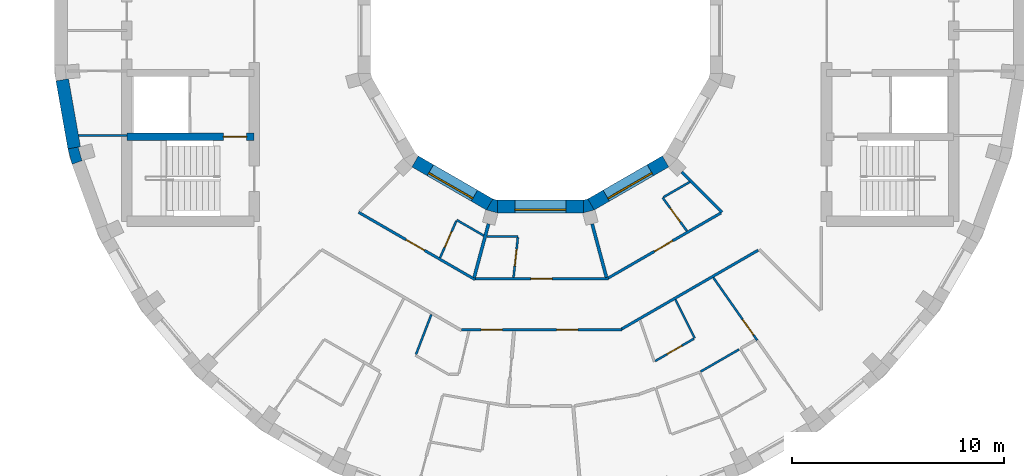
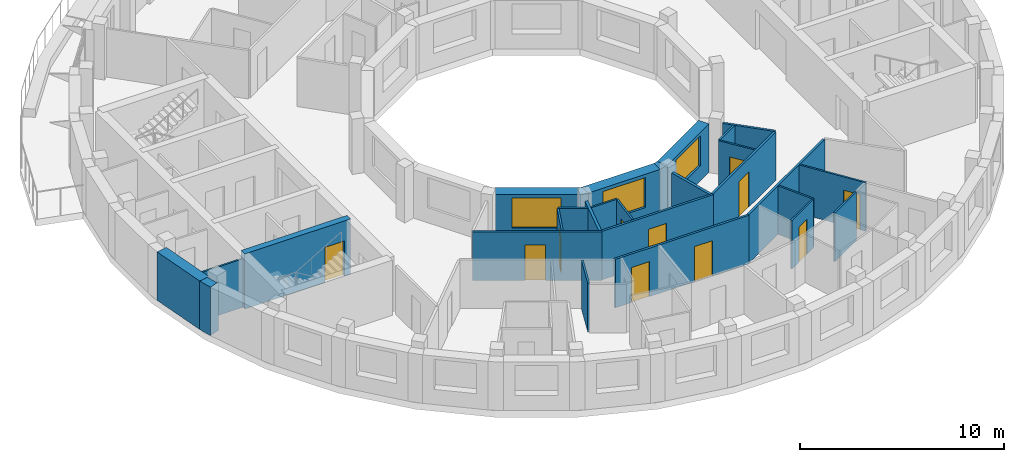
# One storey, part 5 of 12: 28 walls, 11 doors, 3 windows, 14 openings.
"""IFC4 building model written with IfcOpenShell, lengths in metres."""

from ifc_helpers import new_model, si_unit, direction, frame, frame_2d, origin, place, context, subcontext, project, spatial, polyline, rectangle, outline, extrude, material, layer, layer_set, type_object, element, fill, save


model = new_model("IFC4")

# Units and contexts
model_context = context("Model", 3, precision=1e-05, world=origin(), true_north=direction((0.0, 1.0)))
body_context = subcontext(model_context, "Body", "Model", "MODEL_VIEW")
ifc_project = project(units=[si_unit("LENGTHUNIT", "METRE"), si_unit("AREAUNIT", "SQUARE_METRE"), si_unit("VOLUMEUNIT", "CUBIC_METRE"), si_unit("PLANEANGLEUNIT", "RADIAN"), si_unit("MASSUNIT", "GRAM", prefix="KILO")], contexts=[model_context])

# Site, building, storey
site_placement = place(None, origin())
site = spatial("IfcSite", under=ifc_project, at=site_placement, CompositionType="ELEMENT")
building_placement = place(site_placement, origin())
building = spatial("IfcBuilding", under=site, at=building_placement, Name="Saqina Gate Tower", CompositionType="ELEMENT")
storey_placement = place(building_placement, frame((0.0, 0.0, 233.0)))
storey = spatial("IfcBuildingStorey", under=building, at=storey_placement, Name="L66", CompositionType="ELEMENT", Elevation=233.0)

# Walls
ifc_material_1 = material(Name="Brick masonry (buff)", Category="masonry")
wall_type_1 = type_object("IfcWallType", Name="BRICK PIER COPING BUFF", PredefinedType="SOLIDWALL", material=ifc_material_1)
wall_1_placement = place(storey_placement, origin())
element("IfcWall", 1, at=wall_1_placement, inside=storey, type_object=wall_type_1, Name="Pier cap L66 column 20", PredefinedType="SOLIDWALL", context=body_context, shape_type="SweptSolid", body=[
    extrude(outline(polyline([(-22.0869140625, -6.30859375), (-21.52294921875, -6.103515625), (-21.625, -6.130859375), (-21.793212890625, -5.5029296875), (-21.691162109375, -5.4755859375), (-22.281982421875, -5.579833984375), (-22.0869140625, -6.30859375)])), origin(), (0.0, 0.0, 1.0), 2.89990234375),
])
ifc_material_2 = material(Name="Gypsum board on steel studs", Category="steel")
ifc_layer_1 = layer(ifc_material_2, 0.10009765625)
ifc_layer_set_1 = layer_set([ifc_layer_1], Name="CORE PARTITION")
wall_type_2 = type_object("IfcWallType", Name="CORE PARTITION", PredefinedType="PARTITIONING", material=ifc_layer_set_1)
wall_2_placement = place(storey_placement, frame((-19.5, -4.949951171875, 0.0), z_axis=(0.0, 0.0, 1.0), x_axis=(-1.0, 0.0, 0.0)))
element("IfcWall", 2, at=wall_2_placement, inside=storey, type_object=wall_type_2, Name="L66-CP-W04", PredefinedType="PARTITIONING", context=body_context, shape_type="SweptSolid", body=[
    extrude(rectangle(XDim=2.283935546875, YDim=0.10009765625, at=frame_2d((1.14208984375, 0.0))), origin(), (0.0, 0.0, 1.0), 2.89990234375),
])
ifc_material_3 = material(Name="Glazed ceramic tile", Category="ceramic")
ifc_layer_2 = layer(ifc_material_3, 0.60009765625)
ifc_layer_set_2 = layer_set([ifc_layer_2], Name="FW-TILE")
wall_type_3 = type_object("IfcWallType", Name="FW-TILE", PredefinedType="SOLIDWALL", material=ifc_layer_set_2)
wall_3_placement = place(storey_placement, frame((-22.55126953125, -2.325439453125, 0.0), z_axis=(0.0, 0.0, 1.0), x_axis=(0.173656842178, -0.984806225186, 0.0)))
element("IfcWall", 3, at=wall_3_placement, inside=storey, type_object=wall_type_3, Name="Facade wall L66 facet 19", PredefinedType="SOLIDWALL", context=body_context, shape_type="SweptSolid", body=[
    extrude(rectangle(XDim=3.251708984375, YDim=0.60009765625, at=frame_2d((1.6259765625, 0.0))), origin(), (0.0, 0.0, 1.0), 2.89990234375),
])

# Wall, opening, window
ifc_material_4 = material(Name="Glazed ceramic tile", Category="ceramic")
ifc_layer_3 = layer(ifc_material_4, 0.60009765625)
ifc_layer_set_3 = layer_set([ifc_layer_3], Name="IW-TILE")
wall_type_4 = type_object("IfcWallType", Name="IW-TILE", PredefinedType="SOLIDWALL", material=ifc_layer_set_3)
wall_4_placement = place(storey_placement, frame((-5.907470703125, -6.17333984375, 0.0), z_axis=(0.0, 0.0, 1.0), x_axis=(0.866028316509, -0.499994954979, 0.0)))
wall_4 = element("IfcWall", 4, at=wall_4_placement, inside=storey, type_object=wall_type_4, Name="Well wall L66 facet 8", PredefinedType="SOLIDWALL", context=body_context, shape_type="SweptSolid", body=[
    extrude(rectangle(XDim=4.05859375, YDim=0.60009765625, at=frame_2d((2.029296875, 0.0))), origin(), (0.0, 0.0, 1.0), 2.89990234375),
])
opening_1_placement = place(wall_4_placement, frame((0.829345703125, 0.0, 0.89990234375)))
opening_1 = element("IfcOpeningElement", 5, at=opening_1_placement, cuts=wall_4, Name="Opening G19-W30", PredefinedType="OPENING", context=body_context, shape_type="SweptSolid", body=[
    extrude(rectangle(XDim=2.39990234375, YDim=1.800048828125, at=frame_2d((1.199951171875, 0.89990234375))), frame((0.0, 0.31201171875, 0.0), z_axis=(0.0, -1.0, 0.0), x_axis=(1.0, 0.0, 0.0)), (0.0, 0.0, 1.0), 0.6240234375),
])
ifc_material_5 = material(Name="Aluminium glazing", Category="aluminium")
window_type = type_object("IfcWindowType", Name="WN-W", PartitioningType="SINGLE_PANEL", PredefinedType="WINDOW", material=ifc_material_5)
window_1_placement = place(opening_1_placement, origin())
window_1 = element("IfcWindow", 6, at=window_1_placement, inside=storey, type_object=window_type, Name="Well window L66 facet 8", OverallHeight=1.800048828125, OverallWidth=2.39990234375, PartitioningType="SINGLE_PANEL", PredefinedType="WINDOW", context=body_context, shape_type="SweptSolid", body=[
    extrude(rectangle(XDim=2.39990234375, YDim=1.800048828125, at=frame_2d((1.199951171875, 0.89990234375))), frame((0.0, -0.119873046875, 0.0), z_axis=(0.0, -1.0, 0.0), x_axis=(1.0, 0.0, 0.0)), (0.0, 0.0, 1.0), 0.06005859375),
])
fill(opening_1, window_1)

wall_5_placement = place(storey_placement, frame((-2.029296875, -8.300048828125, 0.0), z_axis=(0.0, 0.0, 1.0), x_axis=(1.0, 0.0, 0.0)))
wall_5 = element("IfcWall", 7, at=wall_5_placement, inside=storey, type_object=wall_type_4, Name="Well wall L66 facet 9", PredefinedType="SOLIDWALL", context=body_context, shape_type="SweptSolid", body=[
    extrude(rectangle(XDim=4.05859375, YDim=0.60009765625, at=frame_2d((2.029296875, 0.0))), origin(), (0.0, 0.0, 1.0), 2.89990234375),
])
opening_2_placement = place(wall_5_placement, frame((0.829345703125, 0.0, 0.89990234375)))
opening_2 = element("IfcOpeningElement", 8, at=opening_2_placement, cuts=wall_5, Name="Opening G19-W31", PredefinedType="OPENING", context=body_context, shape_type="SweptSolid", body=[
    extrude(rectangle(XDim=2.39990234375, YDim=1.800048828125, at=frame_2d((1.199951171875, 0.89990234375))), frame((0.0, 0.31201171875, 0.0), z_axis=(0.0, -1.0, 0.0), x_axis=(1.0, 0.0, 0.0)), (0.0, 0.0, 1.0), 0.6240234375),
])
window_2_placement = place(opening_2_placement, origin())
window_2 = element("IfcWindow", 9, at=window_2_placement, inside=storey, type_object=window_type, Name="Well window L66 facet 9", OverallHeight=1.800048828125, OverallWidth=2.39990234375, PartitioningType="SINGLE_PANEL", PredefinedType="WINDOW", context=body_context, shape_type="SweptSolid", body=[
    extrude(rectangle(XDim=2.39990234375, YDim=1.800048828125, at=frame_2d((1.199951171875, 0.89990234375))), frame((0.0, -0.119873046875, 0.0), z_axis=(0.0, -1.0, 0.0), x_axis=(1.0, 0.0, 0.0)), (0.0, 0.0, 1.0), 0.06005859375),
])
fill(opening_2, window_2)

wall_6_placement = place(storey_placement, frame((2.392578125, -8.20263671875, 0.0), z_axis=(0.0, 0.0, 1.0), x_axis=(0.866028316509, 0.499994954979, 0.0)))
wall_6 = element("IfcWall", 10, at=wall_6_placement, inside=storey, type_object=wall_type_4, Name="Well wall L66 facet 10", PredefinedType="SOLIDWALL", context=body_context, shape_type="SweptSolid", body=[
    extrude(rectangle(XDim=4.05859375, YDim=0.60009765625, at=frame_2d((2.029296875, 0.0))), origin(), (0.0, 0.0, 1.0), 2.89990234375),
])
opening_3_placement = place(wall_6_placement, frame((0.829345703125, 0.0, 0.89990234375)))
opening_3 = element("IfcOpeningElement", 11, at=opening_3_placement, cuts=wall_6, Name="Opening G19-W32", PredefinedType="OPENING", context=body_context, shape_type="SweptSolid", body=[
    extrude(rectangle(XDim=2.39990234375, YDim=1.800048828125, at=frame_2d((1.199951171875, 0.89990234375))), frame((0.0, 0.31201171875, 0.0), z_axis=(0.0, -1.0, 0.0), x_axis=(1.0, 0.0, 0.0)), (0.0, 0.0, 1.0), 0.6240234375),
])
window_3_placement = place(opening_3_placement, origin())
window_3 = element("IfcWindow", 12, at=window_3_placement, inside=storey, type_object=window_type, Name="Well window L66 facet 10", OverallHeight=1.800048828125, OverallWidth=2.39990234375, PartitioningType="SINGLE_PANEL", PredefinedType="WINDOW", context=body_context, shape_type="SweptSolid", body=[
    extrude(rectangle(XDim=2.39990234375, YDim=1.800048828125, at=frame_2d((1.199951171875, 0.89990234375))), frame((0.0, -0.119873046875, 0.0), z_axis=(0.0, -1.0, 0.0), x_axis=(1.0, 0.0, 0.0)), (0.0, 0.0, 1.0), 0.06005859375),
])
fill(opening_3, window_3)

# Wall
ifc_material_6 = material(Name="Gypsum board on steel studs, 100 mm", Category="steel")
ifc_layer_4 = layer(ifc_material_6, 0.10009765625)
ifc_layer_set_4 = layer_set([ifc_layer_4], Name="PARTITION 100")
wall_type_5 = type_object("IfcWallType", Name="PARTITION 100", PredefinedType="PARTITIONING", material=ifc_layer_set_4)
wall_7_placement = place(storey_placement, frame((6.369140625, -12.687744140625, 0.0), z_axis=(0.0, 0.0, 1.0), x_axis=(0.448648311547, -0.893708393463, 0.0)))
element("IfcWall", 13, at=wall_7_placement, inside=storey, type_object=wall_type_5, Name="PARTITION PW3-07", PredefinedType="PARTITIONING", context=body_context, shape_type="SweptSolid", body=[
    extrude(rectangle(XDim=2.041259765625, YDim=0.10009765625, at=frame_2d((1.0205078125, 0.0))), origin(), (0.0, 0.0, 1.0), 2.89990234375),
])

# Wall, opening, door
wall_8_placement = place(storey_placement, frame((8.15966796875, -11.653564453125, 0.0), z_axis=(0.0, 0.0, 1.0), x_axis=(0.573580547772, -0.819149165426, 0.0)))
wall_8 = element("IfcWall", 14, at=wall_8_placement, inside=storey, type_object=wall_type_5, Name="PARTITION PW3-09", PredefinedType="PARTITIONING", context=body_context, shape_type="SweptSolid", body=[
    extrude(rectangle(XDim=3.60400390625, YDim=0.10009765625, at=frame_2d((1.802001953125, 0.0))), origin(), (0.0, 0.0, 1.0), 2.89990234375),
])
opening_4_placement = place(wall_8_placement, frame((2.40478515625, 0.0, 0.0)))
opening_4 = element("IfcOpeningElement", 15, at=opening_4_placement, cuts=wall_8, Name="Opening G19-D42", PredefinedType="OPENING", context=body_context, shape_type="SweptSolid", body=[
    extrude(rectangle(XDim=0.89990234375, YDim=2.10009765625, at=frame_2d((0.449951171875, 1.050048828125))), frame((0.0, 0.06201171875, 0.0), z_axis=(0.0, -1.0, 0.0), x_axis=(1.0, 0.0, 0.0)), (0.0, 0.0, 1.0), 0.1240234375),
])
ifc_material_7 = material(Name="Timber door leaf, 900 mm", Category="wood")
door_type_1 = type_object("IfcDoorType", Name="DOOR 900 TIMBER", OperationType="SINGLE_SWING_LEFT", PredefinedType="DOOR", material=ifc_material_7)
door_1_placement = place(opening_4_placement, origin())
door_1 = element("IfcDoor", 16, at=door_1_placement, inside=storey, type_object=door_type_1, Name="DOOR G19-D42", OperationType="SINGLE_SWING_RIGHT", OverallHeight=2.10009765625, OverallWidth=0.89990234375, PredefinedType="DOOR", context=body_context, shape_type="SweptSolid", body=[
    extrude(rectangle(XDim=0.89990234375, YDim=2.10009765625, at=frame_2d((0.449951171875, 1.050048828125))), frame((0.0, 0.02490234375, 0.0), z_axis=(0.0, -1.0, 0.0), x_axis=(1.0, 0.0, 0.0)), (0.0, 0.0, 1.0), 0.050048828125),
])
fill(opening_4, door_1)

wall_9_placement = place(storey_placement, frame((5.76708984375, -7.882080078125, 0.0), z_axis=(0.0, 0.0, 1.0), x_axis=(0.590418468895, -0.807097287561, 0.0)))
wall_9 = element("IfcWall", 17, at=wall_9_placement, inside=storey, type_object=wall_type_5, Name="PARTITION PW3-11", PredefinedType="PARTITIONING", context=body_context, shape_type="SweptSolid", body=[
    extrude(rectangle(XDim=1.94921875, YDim=0.10009765625, at=frame_2d((0.974609375, 0.0))), origin(), (0.0, 0.0, 1.0), 2.89990234375),
])
opening_5_placement = place(wall_9_placement, frame((0.606201171875, 0.0, 0.0)))
opening_5 = element("IfcOpeningElement", 18, at=opening_5_placement, cuts=wall_9, Name="Opening G19-D44", PredefinedType="OPENING", context=body_context, shape_type="SweptSolid", body=[
    extrude(rectangle(XDim=0.800048828125, YDim=2.10009765625, at=frame_2d((0.39990234375, 1.050048828125))), frame((0.0, 0.06201171875, 0.0), z_axis=(0.0, -1.0, 0.0), x_axis=(1.0, 0.0, 0.0)), (0.0, 0.0, 1.0), 0.1240234375),
])
ifc_material_8 = material(Name="Timber door leaf, 800 mm", Category="wood")
door_type_2 = type_object("IfcDoorType", Name="DOOR 800 TIMBER", OperationType="SINGLE_SWING_LEFT", PredefinedType="DOOR", material=ifc_material_8)
door_2_placement = place(opening_5_placement, frame((0.800048828125, 0.0, 0.0), z_axis=(0.0, 0.0, 1.0), x_axis=(-1.0, 0.0, 0.0)))
door_2 = element("IfcDoor", 19, at=door_2_placement, inside=storey, type_object=door_type_2, Name="DOOR G19-D44", OperationType="SINGLE_SWING_LEFT", OverallHeight=2.10009765625, OverallWidth=0.800048828125, PredefinedType="DOOR", context=body_context, shape_type="SweptSolid", body=[
    extrude(rectangle(XDim=0.800048828125, YDim=2.10009765625, at=frame_2d((0.39990234375, 1.050048828125))), frame((0.0, 0.02490234375, 0.0), z_axis=(0.0, -1.0, 0.0), x_axis=(1.0, 0.0, 0.0)), (0.0, 0.0, 1.0), 0.050048828125),
])
fill(opening_5, door_2)

# Walls
wall_10_placement = place(storey_placement, frame((-3.943115234375, -8.93603515625, 0.0), z_axis=(0.0, 0.0, 1.0), x_axis=(0.866083503307, -0.499899355171, 0.0)))
element("IfcWall", 20, at=wall_10_placement, inside=storey, type_object=wall_type_5, Name="PARTITION PW3-16", PredefinedType="PARTITIONING", context=body_context, shape_type="SweptSolid", body=[
    extrude(rectangle(XDim=1.473388671875, YDim=0.10009765625, at=frame_2d((0.73681640625, 0.0))), origin(), (0.0, 0.0, 1.0), 2.89990234375),
])
wall_11_placement = place(storey_placement, frame((-2.527099609375, -9.7099609375, 0.0), z_axis=(0.0, 0.0, 1.0), x_axis=(1.0, 0.0, 0.0)))
element("IfcWall", 21, at=wall_11_placement, inside=storey, type_object=wall_type_5, Name="PARTITION PW3-26", PredefinedType="PARTITIONING", context=body_context, shape_type="SweptSolid", body=[
    extrude(rectangle(XDim=1.47314453125, YDim=0.10009765625, at=frame_2d((0.736572265625, 0.0))), origin(), (0.0, 0.0, 1.0), 2.89990234375),
])
wall_12_placement = place(storey_placement, frame((7.557373046875, -16.089111328125, 0.0), z_axis=(0.0, 0.0, 1.0), x_axis=(0.866022320763, 0.500005339912, 0.0)))
element("IfcWall", 22, at=wall_12_placement, inside=storey, type_object=wall_type_5, Name="PARTITION PW3-34", PredefinedType="PARTITIONING", context=body_context, shape_type="SweptSolid", body=[
    extrude(rectangle(XDim=2.091796875, YDim=0.10009765625, at=frame_2d((1.0458984375, 0.0))), origin(), (0.0, 0.0, 1.0), 2.89990234375),
])

# Wall, opening, door
wall_13_placement = place(storey_placement, frame((5.419189453125, -15.589111328125, 0.0), z_axis=(0.0, 0.0, 1.0), x_axis=(0.866071606143, 0.499919966627, 0.0)))
wall_13 = element("IfcWall", 23, at=wall_13_placement, inside=storey, type_object=wall_type_5, Name="PARTITION PW3-35", PredefinedType="PARTITIONING", context=body_context, shape_type="SweptSolid", body=[
    extrude(rectangle(XDim=2.104248046875, YDim=0.10009765625, at=frame_2d((1.05224609375, 0.0))), origin(), (0.0, 0.0, 1.0), 2.89990234375),
])
opening_6_placement = place(wall_13_placement, frame((0.652099609375, 0.0, 0.0)))
opening_6 = element("IfcOpeningElement", 24, at=opening_6_placement, cuts=wall_13, Name="Opening G19-D39", PredefinedType="OPENING", context=body_context, shape_type="SweptSolid", body=[
    extrude(rectangle(XDim=0.800048828125, YDim=2.10009765625, at=frame_2d((0.39990234375, 1.050048828125))), frame((0.0, 0.06201171875, 0.0), z_axis=(0.0, -1.0, 0.0), x_axis=(1.0, 0.0, 0.0)), (0.0, 0.0, 1.0), 0.1240234375),
])
door_3_placement = place(opening_6_placement, frame((0.800048828125, 0.0, 0.0), z_axis=(0.0, 0.0, 1.0), x_axis=(-1.0, 0.0, 0.0)))
door_3 = element("IfcDoor", 25, at=door_3_placement, inside=storey, type_object=door_type_2, Name="DOOR G19-D39", OperationType="SINGLE_SWING_RIGHT", OverallHeight=2.10009765625, OverallWidth=0.800048828125, PredefinedType="DOOR", context=body_context, shape_type="SweptSolid", body=[
    extrude(rectangle(XDim=0.800048828125, YDim=2.10009765625, at=frame_2d((0.39990234375, 1.050048828125))), frame((0.0, 0.02490234375, 0.0), z_axis=(0.0, -1.0, 0.0), x_axis=(1.0, 0.0, 0.0)), (0.0, 0.0, 1.0), 0.050048828125),
])
fill(opening_6, door_3)

# Wall
wall_14_placement = place(storey_placement, frame((5.810302734375, -7.85693359375, 0.0), z_axis=(0.0, 0.0, 1.0), x_axis=(0.866100656052, 0.499869636591, 0.0)))
element("IfcWall", 26, at=wall_14_placement, inside=storey, type_object=wall_type_5, Name="PARTITION PW3-36", PredefinedType="PARTITIONING", context=body_context, shape_type="SweptSolid", body=[
    extrude(rectangle(XDim=1.43603515625, YDim=0.10009765625, at=frame_2d((0.718017578125, 0.0))), origin(), (0.0, 0.0, 1.0), 2.89990234375),
])

# Wall, opening, door
wall_15_placement = place(storey_placement, frame((-4.729736328125, -10.71875, 0.0), z_axis=(0.0, 0.0, 1.0), x_axis=(0.403751002976, 0.914868912794, 0.0)))
wall_15 = element("IfcWall", 27, at=wall_15_placement, inside=storey, type_object=wall_type_5, Name="PARTITION PW3-45", PredefinedType="PARTITIONING", context=body_context, shape_type="SweptSolid", body=[
    extrude(rectangle(XDim=1.898681640625, YDim=0.10009765625, at=frame_2d((0.94921875, 0.0))), origin(), (0.0, 0.0, 1.0), 2.89990234375),
])
opening_7_placement = place(wall_15_placement, frame((0.543212890625, 0.0, 0.0)))
opening_7 = element("IfcOpeningElement", 28, at=opening_7_placement, cuts=wall_15, Name="Opening G19-D27", PredefinedType="OPENING", context=body_context, shape_type="SweptSolid", body=[
    extrude(rectangle(XDim=0.800048828125, YDim=2.10009765625, at=frame_2d((0.39990234375, 1.050048828125))), frame((0.0, 0.06201171875, 0.0), z_axis=(0.0, -1.0, 0.0), x_axis=(1.0, 0.0, 0.0)), (0.0, 0.0, 1.0), 0.1240234375),
])
door_4_placement = place(opening_7_placement, origin())
door_4 = element("IfcDoor", 29, at=door_4_placement, inside=storey, type_object=door_type_2, Name="DOOR G19-D27", OperationType="SINGLE_SWING_LEFT", OverallHeight=2.10009765625, OverallWidth=0.800048828125, PredefinedType="DOOR", context=body_context, shape_type="SweptSolid", body=[
    extrude(rectangle(XDim=0.800048828125, YDim=2.10009765625, at=frame_2d((0.39990234375, 1.050048828125))), frame((0.0, 0.02490234375, 0.0), z_axis=(0.0, -1.0, 0.0), x_axis=(1.0, 0.0, 0.0)), (0.0, 0.0, 1.0), 0.050048828125),
])
fill(opening_7, door_4)

# Wall
wall_16_placement = place(storey_placement, frame((-5.86474609375, -15.275146484375, 0.0), z_axis=(0.0, 0.0, 1.0), x_axis=(0.358857215778, 0.93339246766, 0.0)))
element("IfcWall", 30, at=wall_16_placement, inside=storey, type_object=wall_type_5, Name="PARTITION PW3-46", PredefinedType="PARTITIONING", context=body_context, shape_type="SweptSolid", body=[
    extrude(rectangle(XDim=2.013671875, YDim=0.10009765625, at=frame_2d((1.0068359375, 0.0))), origin(), (0.0, 0.0, 1.0), 2.89990234375),
])

# Wall, opening, door
wall_17_placement = place(storey_placement, frame((-1.26416015625, -11.64794921875, 0.0), z_axis=(0.0, 0.0, 1.0), x_axis=(0.107849279517, 0.994167256003, 0.0)))
wall_17 = element("IfcWall", 31, at=wall_17_placement, inside=storey, type_object=wall_type_5, Name="PARTITION PW3-53", PredefinedType="PARTITIONING", context=body_context, shape_type="SweptSolid", body=[
    extrude(rectangle(XDim=1.899169921875, YDim=0.10009765625, at=frame_2d((0.94970703125, 0.0))), origin(), (0.0, 0.0, 1.0), 2.89990234375),
])
opening_8_placement = place(wall_17_placement, frame((0.54345703125, 0.0, 0.0)))
opening_8 = element("IfcOpeningElement", 32, at=opening_8_placement, cuts=wall_17, Name="Opening G19-D32", PredefinedType="OPENING", context=body_context, shape_type="SweptSolid", body=[
    extrude(rectangle(XDim=0.800048828125, YDim=2.10009765625, at=frame_2d((0.39990234375, 1.050048828125))), frame((0.0, 0.06201171875, 0.0), z_axis=(0.0, -1.0, 0.0), x_axis=(1.0, 0.0, 0.0)), (0.0, 0.0, 1.0), 0.1240234375),
])
door_5_placement = place(opening_8_placement, frame((0.800048828125, 0.0, 0.0), z_axis=(0.0, 0.0, 1.0), x_axis=(-1.0, 0.0, 0.0)))
door_5 = element("IfcDoor", 33, at=door_5_placement, inside=storey, type_object=door_type_2, Name="DOOR G19-D32", OperationType="SINGLE_SWING_RIGHT", OverallHeight=2.10009765625, OverallWidth=0.800048828125, PredefinedType="DOOR", context=body_context, shape_type="SweptSolid", body=[
    extrude(rectangle(XDim=0.800048828125, YDim=2.10009765625, at=frame_2d((0.39990234375, 1.050048828125))), frame((0.0, 0.02490234375, 0.0), z_axis=(0.0, -1.0, 0.0), x_axis=(1.0, 0.0, 0.0)), (0.0, 0.0, 1.0), 0.050048828125),
])
fill(opening_8, door_5)

# Wall
ifc_material_9 = material(Name="Gypsum board on steel studs, 125 mm, fire rated", Category="steel")
ifc_layer_5 = layer(ifc_material_9, 0.125)
ifc_layer_set_5 = layer_set([ifc_layer_5], Name="PARTITION EI 30 125")
wall_type_6 = type_object("IfcWallType", Name="PARTITION EI 30 125", PredefinedType="PARTITIONING", material=ifc_layer_set_5)
wall_18_placement = place(storey_placement, frame((6.6767578125, -6.6767578125, 0.0), z_axis=(0.0, 0.0, 1.0), x_axis=(0.707106781187, -0.707106781187, 0.0)))
element("IfcWall", 34, at=wall_18_placement, inside=storey, type_object=wall_type_6, Name="PARTITION PW1-06", PredefinedType="PARTITIONING", context=body_context, shape_type="SweptSolid", body=[
    extrude(rectangle(XDim=2.680419921875, YDim=0.125, at=frame_2d((1.34033203125, 0.0))), origin(), (0.0, 0.0, 1.0), 2.89990234375),
])

# Wall, opening, door
wall_19_placement = place(storey_placement, frame((-8.572021484375, -8.572021484375, 0.0), z_axis=(0.0, 0.0, 1.0), x_axis=(0.865983161714, -0.500073158277, 0.0)))
wall_19 = element("IfcWall", 35, at=wall_19_placement, inside=storey, type_object=wall_type_6, Name="PARTITION PW1-10", PredefinedType="PARTITIONING", context=body_context, shape_type="SweptSolid", body=[
    extrude(rectangle(XDim=6.34716796875, YDim=0.125, at=frame_2d((3.173583984375, 0.0))), origin(), (0.0, 0.0, 1.0), 2.89990234375),
])
opening_9_placement = place(wall_19_placement, frame((2.586669921875, 0.0, 0.0)))
opening_9 = element("IfcOpeningElement", 36, at=opening_9_placement, cuts=wall_19, Name="Opening G19-D26", PredefinedType="OPENING", context=body_context, shape_type="SweptSolid", body=[
    extrude(rectangle(XDim=1.0, YDim=2.10009765625, at=frame_2d((0.5, 1.050048828125))), frame((0.0, 0.074462890625, 0.0), z_axis=(0.0, -1.0, 0.0), x_axis=(1.0, 0.0, 0.0)), (0.0, 0.0, 1.0), 0.14892578125),
])
ifc_material_10 = material(Name="Fire door leaf EI 30, 1000 mm")
door_type_3 = type_object("IfcDoorType", Name="DOOR 1000 EI 30", OperationType="SINGLE_SWING_LEFT", PredefinedType="DOOR", material=ifc_material_10)
door_6_placement = place(opening_9_placement, origin())
door_6 = element("IfcDoor", 37, at=door_6_placement, inside=storey, type_object=door_type_3, Name="DOOR G19-D26", OperationType="SINGLE_SWING_LEFT", OverallHeight=2.10009765625, OverallWidth=1.0, PredefinedType="DOOR", context=body_context, shape_type="SweptSolid", body=[
    extrude(rectangle(XDim=1.0, YDim=2.10009765625, at=frame_2d((0.5, 1.050048828125))), frame((0.0, 0.02490234375, 0.0), z_axis=(0.0, -1.0, 0.0), x_axis=(1.0, 0.0, 0.0)), (0.0, 0.0, 1.0), 0.050048828125),
])
fill(opening_9, door_6)

# Wall, openings, doors
wall_20_placement = place(storey_placement, frame((-3.718505859375, -14.110107421875, 0.0), z_axis=(0.0, 0.0, 1.0), x_axis=(1.0, 0.0, 0.0)))
wall_20 = element("IfcWall", 38, at=wall_20_placement, inside=storey, type_object=wall_type_6, Name="PARTITION PW1-17", PredefinedType="PARTITIONING", context=body_context, shape_type="SweptSolid", body=[
    extrude(rectangle(XDim=7.57177734375, YDim=0.125, at=frame_2d((3.785888671875, 0.0))), origin(), (0.0, 0.0, 1.0), 2.89990234375),
])
opening_10_placement = place(wall_20_placement, frame((0.926025390625, 0.0, 0.0)))
opening_10 = element("IfcOpeningElement", 39, at=opening_10_placement, cuts=wall_20, Name="Opening G19-D31", PredefinedType="OPENING", context=body_context, shape_type="SweptSolid", body=[
    extrude(rectangle(XDim=1.0, YDim=2.10009765625, at=frame_2d((0.5, 1.050048828125))), frame((0.0, 0.074462890625, 0.0), z_axis=(0.0, -1.0, 0.0), x_axis=(1.0, 0.0, 0.0)), (0.0, 0.0, 1.0), 0.14892578125),
])
opening_11_placement = place(wall_20_placement, frame((4.491943359375, 0.0, 0.0)))
opening_11 = element("IfcOpeningElement", 40, at=opening_11_placement, cuts=wall_20, Name="Opening G19-D36", PredefinedType="OPENING", context=body_context, shape_type="SweptSolid", body=[
    extrude(rectangle(XDim=1.0, YDim=2.10009765625, at=frame_2d((0.5, 1.050048828125))), frame((0.0, 0.074462890625, 0.0), z_axis=(0.0, -1.0, 0.0), x_axis=(1.0, 0.0, 0.0)), (0.0, 0.0, 1.0), 0.14892578125),
])
door_7_placement = place(opening_10_placement, frame((1.0, 0.0, 0.0), z_axis=(0.0, 0.0, 1.0), x_axis=(-1.0, 0.0, 0.0)))
door_7 = element("IfcDoor", 41, at=door_7_placement, inside=storey, type_object=door_type_3, Name="DOOR G19-D31", OperationType="SINGLE_SWING_LEFT", OverallHeight=2.10009765625, OverallWidth=1.0, PredefinedType="DOOR", context=body_context, shape_type="SweptSolid", body=[
    extrude(rectangle(XDim=1.0, YDim=2.10009765625, at=frame_2d((0.5, 1.050048828125))), frame((0.0, 0.02490234375, 0.0), z_axis=(0.0, -1.0, 0.0), x_axis=(1.0, 0.0, 0.0)), (0.0, 0.0, 1.0), 0.050048828125),
])
fill(opening_10, door_7)
door_8_placement = place(opening_11_placement, frame((1.0, 0.0, 0.0), z_axis=(0.0, 0.0, 1.0), x_axis=(-1.0, 0.0, 0.0)))
door_8 = element("IfcDoor", 42, at=door_8_placement, inside=storey, type_object=door_type_3, Name="DOOR G19-D36", OperationType="SINGLE_SWING_LEFT", OverallHeight=2.10009765625, OverallWidth=1.0, PredefinedType="DOOR", context=body_context, shape_type="SweptSolid", body=[
    extrude(rectangle(XDim=1.0, YDim=2.10009765625, at=frame_2d((0.5, 1.050048828125))), frame((0.0, 0.02490234375, 0.0), z_axis=(0.0, -1.0, 0.0), x_axis=(1.0, 0.0, 0.0)), (0.0, 0.0, 1.0), 0.050048828125),
])
fill(opening_11, door_8)

# Wall, opening, door
wall_21_placement = place(storey_placement, frame((-3.075439453125, -11.7099609375, 0.0), z_axis=(0.0, 0.0, 1.0), x_axis=(1.0, 0.0, 0.0)))
wall_21 = element("IfcWall", 43, at=wall_21_placement, inside=storey, type_object=wall_type_6, Name="PARTITION PW1-18", PredefinedType="PARTITIONING", context=body_context, shape_type="SweptSolid", body=[
    extrude(rectangle(XDim=6.300048828125, YDim=0.125, at=frame_2d((3.14990234375, 0.0))), origin(), (0.0, 0.0, 1.0), 2.89990234375),
])
opening_12_placement = place(wall_21_placement, frame((2.6259765625, 0.0, 0.0)))
opening_12 = element("IfcOpeningElement", 44, at=opening_12_placement, cuts=wall_21, Name="Opening G19-D35", PredefinedType="OPENING", context=body_context, shape_type="SweptSolid", body=[
    extrude(rectangle(XDim=1.0, YDim=2.10009765625, at=frame_2d((0.5, 1.050048828125))), frame((0.0, 0.074462890625, 0.0), z_axis=(0.0, -1.0, 0.0), x_axis=(1.0, 0.0, 0.0)), (0.0, 0.0, 1.0), 0.14892578125),
])
door_9_placement = place(opening_12_placement, origin())
door_9 = element("IfcDoor", 45, at=door_9_placement, inside=storey, type_object=door_type_3, Name="DOOR G19-D35", OperationType="SINGLE_SWING_LEFT", OverallHeight=2.10009765625, OverallWidth=1.0, PredefinedType="DOOR", context=body_context, shape_type="SweptSolid", body=[
    extrude(rectangle(XDim=1.0, YDim=2.10009765625, at=frame_2d((0.5, 1.050048828125))), frame((0.0, 0.02490234375, 0.0), z_axis=(0.0, -1.0, 0.0), x_axis=(1.0, 0.0, 0.0)), (0.0, 0.0, 1.0), 0.050048828125),
])
fill(opening_12, door_9)

# Wall
wall_22_placement = place(storey_placement, frame((3.835205078125, -14.078857421875, 0.0), z_axis=(0.0, 0.0, 1.0), x_axis=(0.865993671729, 0.500054957505, 0.0)))
element("IfcWall", 46, at=wall_22_placement, inside=storey, type_object=wall_type_6, Name="PARTITION PW1-25", PredefinedType="PARTITIONING", context=body_context, shape_type="SweptSolid", body=[
    extrude(rectangle(XDim=7.436279296875, YDim=0.125, at=frame_2d((3.71826171875, 0.0))), origin(), (0.0, 0.0, 1.0), 2.89990234375),
])

# Wall, opening, door
wall_23_placement = place(storey_placement, frame((3.202880859375, -11.672607421875, 0.0), z_axis=(0.0, 0.0, 1.0), x_axis=(0.865972267571, 0.50009202333, 0.0)))
wall_23 = element("IfcWall", 47, at=wall_23_placement, inside=storey, type_object=wall_type_6, Name="PARTITION PW1-26", PredefinedType="PARTITIONING", context=body_context, shape_type="SweptSolid", body=[
    extrude(rectangle(XDim=6.137451171875, YDim=0.125, at=frame_2d((3.06884765625, 0.0))), origin(), (0.0, 0.0, 1.0), 2.89990234375),
])
opening_13_placement = place(wall_23_placement, frame((2.51171875, 0.0, 0.0)))
opening_13 = element("IfcOpeningElement", 48, at=opening_13_placement, cuts=wall_23, Name="Opening G19-D41", PredefinedType="OPENING", context=body_context, shape_type="SweptSolid", body=[
    extrude(rectangle(XDim=1.0, YDim=2.10009765625, at=frame_2d((0.5, 1.050048828125))), frame((0.0, 0.074462890625, 0.0), z_axis=(0.0, -1.0, 0.0), x_axis=(1.0, 0.0, 0.0)), (0.0, 0.0, 1.0), 0.14892578125),
])
door_10_placement = place(opening_13_placement, origin())
door_10 = element("IfcDoor", 49, at=door_10_placement, inside=storey, type_object=door_type_3, Name="DOOR G19-D41", OperationType="SINGLE_SWING_LEFT", OverallHeight=2.10009765625, OverallWidth=1.0, PredefinedType="DOOR", context=body_context, shape_type="SweptSolid", body=[
    extrude(rectangle(XDim=1.0, YDim=2.10009765625, at=frame_2d((0.5, 1.050048828125))), frame((0.0, 0.02490234375, 0.0), z_axis=(0.0, -1.0, 0.0), x_axis=(1.0, 0.0, 0.0)), (0.0, 0.0, 1.0), 0.050048828125),
])
fill(opening_13, door_10)

# Walls
ifc_material_11 = material(Name="Gypsum board on steel studs, 150 mm, fire rated", Category="steel")
ifc_layer_6 = layer(ifc_material_11, 0.14990234375)
ifc_layer_set_6 = layer_set([ifc_layer_6], Name="PARTITION EI 60 150")
wall_type_7 = type_object("IfcWallType", Name="PARTITION EI 60 150", PredefinedType="PARTITIONING", material=ifc_layer_set_6)
for number, where, z_axis, x_axis, name in (
    (50, (2.444091796875, -9.120361328125, 0.0), (0.0, 0.0, 1.0), (0.258823078531, -0.965924745526, 0.0), "PARTITION PW2-04"),
    (51, (-3.12158203125, -11.649658203125, 0.0), (0.0, 0.0, 1.0), (0.258736085224, 0.965948051503, 0.0), "PARTITION PW2-09"),
):
    element("IfcWall", number, at=place(storey_placement, frame(where, z_axis=z_axis, x_axis=x_axis)), inside=storey, type_object=wall_type_7, Name=name, PredefinedType="PARTITIONING", context=body_context, shape_type="SweptSolid", body=[
        extrude(rectangle(XDim=2.618408203125, YDim=0.14990234375, at=frame_2d((1.30908203125, 0.0))), origin(), (0.0, 0.0, 1.0), 2.89990234375),
    ])

# Wall, opening, door
ifc_material_12 = material(Name="Concrete C60/75", Category="concrete")
ifc_layer_7 = layer(ifc_material_12, 0.35009765625)
ifc_layer_set_7 = layer_set([ifc_layer_7], Name="Concrete C60/75")
wall_type_8 = type_object("IfcWallType", Name="STR-CORE WALL-D-I", PredefinedType="SHEAR", material=ifc_layer_set_7)
wall_24_placement = place(storey_placement, frame((-13.5, -5.0, 0.0), z_axis=(0.0, 0.0, 1.0), x_axis=(-1.0, 0.0, 0.0)))
wall_24 = element("IfcWall", 52, at=wall_24_placement, inside=storey, type_object=wall_type_8, Name="CORE WALL L66 W-X2", PredefinedType="SHEAR", context=body_context, shape_type="SweptSolid", body=[
    extrude(rectangle(XDim=6.0, YDim=0.35009765625, at=frame_2d((3.0, 0.0))), origin(), (0.0, 0.0, 1.0), 3.300048828125),
])
opening_14_placement = place(wall_24_placement, frame((0.35009765625, 0.0, 0.0)))
opening_14 = element("IfcOpeningElement", 53, at=opening_14_placement, cuts=wall_24, Name="Opening G19-D108", PredefinedType="OPENING", context=body_context, shape_type="SweptSolid", body=[
    extrude(rectangle(XDim=1.10009765625, YDim=2.10009765625, at=frame_2d((0.550048828125, 1.050048828125))), frame((0.0, 0.18701171875, 0.0), z_axis=(0.0, -1.0, 0.0), x_axis=(1.0, 0.0, 0.0)), (0.0, 0.0, 1.0), 0.3740234375),
])
ifc_material_13 = material(Name="Steel", Category="steel")
door_type_4 = type_object("IfcDoorType", Name="FIRE LOBBY DOOR EI 60 WIDE", OperationType="SINGLE_SWING_LEFT", PredefinedType="DOOR", material=ifc_material_13)
door_11_placement = place(opening_14_placement, origin())
door_11 = element("IfcDoor", 54, at=door_11_placement, inside=storey, type_object=door_type_4, Name="L66-CD-W19", OperationType="SINGLE_SWING_LEFT", OverallHeight=2.10009765625, OverallWidth=1.10009765625, PredefinedType="DOOR", context=body_context, shape_type="SweptSolid", body=[
    extrude(rectangle(XDim=1.10009765625, YDim=2.10009765625, at=frame_2d((0.550048828125, 1.050048828125))), frame((0.0, 0.02490234375, 0.0), z_axis=(0.0, -1.0, 0.0), x_axis=(1.0, 0.0, 0.0)), (0.0, 0.0, 1.0), 0.050048828125),
])
fill(opening_14, door_11)

# Walls
ifc_material_14 = material(Name="Glazed ceramic tile", Category="ceramic")
wall_type_9 = type_object("IfcWallType", Name="TILE PIER COPING", PredefinedType="SOLIDWALL", material=ifc_material_14)
wall_25_placement = place(storey_placement, origin())
element("IfcWall", 55, at=wall_25_placement, inside=storey, type_object=wall_type_9, Name="Well pier cap L66 column 9", PredefinedType="SOLIDWALL", context=body_context, shape_type="SweptSolid", body=[
    extrude(outline(polyline([(-2.029296875, -8.60009765625), (-2.029296875, -8.0), (-2.242431640625, -7.94287109375), (-2.54248046875, -8.46240234375), (-2.029296875, -8.60009765625)])), origin(), (0.0, 0.0, 1.0), 2.89990234375),
])
wall_26_placement = place(storey_placement, origin())
element("IfcWall", 56, at=wall_26_placement, inside=storey, type_object=wall_type_9, Name="Well pier cap L66 column 10", PredefinedType="SOLIDWALL", context=body_context, shape_type="SweptSolid", body=[
    extrude(outline(polyline([(2.54248046875, -8.46240234375), (2.242431640625, -7.94287109375), (2.029296875, -8.0), (2.029296875, -8.60009765625), (2.54248046875, -8.46240234375)])), origin(), (0.0, 0.0, 1.0), 2.89990234375),
])

save(model, "model.ifc")
